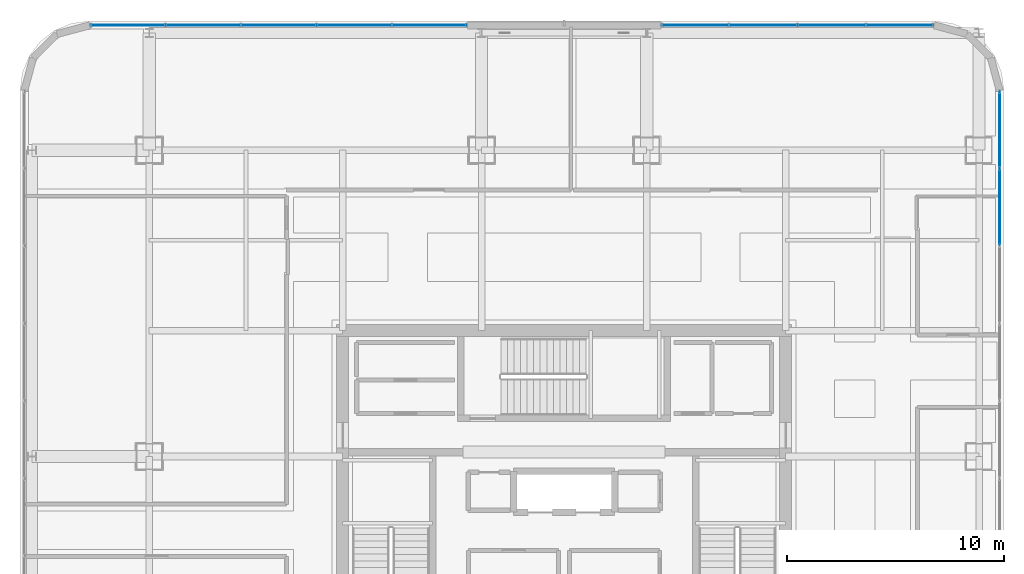
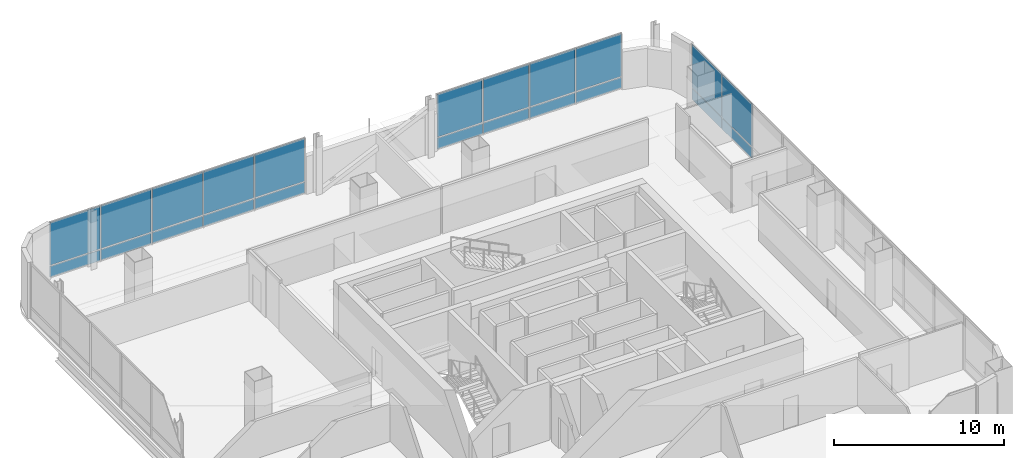
# One storey, part 30 of 43: 22 plates, 3 elements without a shape of their own.
"""IFC4 building model written with IfcOpenShell, lengths in metres."""

from ifc_helpers import new_model, si_unit, direction, frame, origin, origin_2d, place, context, subcontext, project, spatial, rectangle, extrude, material, layer, layer_set, type_object, element, aggregate, save


model = new_model("IFC4")

# Units and contexts
model_context = context("Model", 3, precision=1e-05, world=origin(), true_north=direction((0.0, 1.0)))
body_context = subcontext(model_context, "Body", "Model", "MODEL_VIEW")
ifc_project = project(units=[si_unit("LENGTHUNIT", "METRE"), si_unit("AREAUNIT", "SQUARE_METRE"), si_unit("VOLUMEUNIT", "CUBIC_METRE"), si_unit("PLANEANGLEUNIT", "RADIAN"), si_unit("MASSUNIT", "GRAM", prefix="KILO")], contexts=[model_context])

# Site, building, storey
site_placement = place(None, origin())
site = spatial("IfcSite", under=ifc_project, at=site_placement, CompositionType="ELEMENT")
building_placement = place(site_placement, origin())
building = spatial("IfcBuilding", under=site, at=building_placement, Name="Punatoya Terracotta Tower", CompositionType="ELEMENT")
storey_placement = place(building_placement, frame((0.0, 0.0, 300.60009765625)))
storey = spatial("IfcBuildingStorey", under=building, at=storey_placement, Name="L71", CompositionType="ELEMENT", Elevation=300.60009765625)

# Curtain wall, plates
ifc_material_1 = material(Name="Aluminium 6063-T6 + Double Low-E Glass", Category="aluminium")
curtain_wall_type = type_object("IfcCurtainWallType", Name="CW-M3", PredefinedType="NOTDEFINED", material=ifc_material_1)
curtain_wall_1_placement = place(storey_placement, origin())
curtain_wall_1 = element("IfcCurtainWall", 1, at=curtain_wall_1_placement, inside=storey, type_object=curtain_wall_type, Name="L71 Curtain Wall CW-L71-E05-1", PredefinedType="NOTDEFINED")
ifc_material_2 = material(Name="Double Low-E Acoustic Vision Glass", Category="glass")
ifc_layer_1 = layer(ifc_material_2, 0.031982421875)
ifc_layer_set_1 = layer_set([ifc_layer_1], Name="Double Low-E Acoustic Vision Glass")
plate_type_1 = type_object("IfcPlateType", Name="PLT-GLZ-32", PredefinedType="CURTAIN_PANEL", material=ifc_layer_set_1)
plate_1_placement = place(storey_placement, frame((20.050048828125, 14.8857421875, 0.8896484375), z_axis=(0.0, 0.0, 1.0), x_axis=(0.0, 1.0, 0.0)))
plate_1 = element("IfcPlate", 2, at=plate_1_placement, type_object=plate_type_1, Name="CW-L71-E05-1 Vision Glass Panel 9", PredefinedType="CURTAIN_PANEL", context=body_context, shape_type="SweptSolid", body=[
    extrude(rectangle(XDim=3.482421875, YDim=0.031982421875, at=origin_2d()), origin(), (0.0, 0.0, 1.0), 3.070068359375),
])
plate_2_placement = place(storey_placement, frame((20.050048828125, 18.453125, 0.8896484375), z_axis=(0.0, 0.0, 1.0), x_axis=(0.0, 1.0, 0.0)))
plate_2 = element("IfcPlate", 3, at=plate_2_placement, type_object=plate_type_1, Name="CW-L71-E05-1 Vision Glass Panel 10", PredefinedType="CURTAIN_PANEL", context=body_context, shape_type="SweptSolid", body=[
    extrude(rectangle(XDim=3.482421875, YDim=0.031982421875, at=origin_2d()), origin(), (0.0, 0.0, 1.0), 3.070068359375),
])

curtain_wall_2_placement = place(storey_placement, origin())
curtain_wall_2 = element("IfcCurtainWall", 4, at=curtain_wall_2_placement, inside=storey, type_object=curtain_wall_type, Name="L71 Curtain Wall CW-L71-N09-1", PredefinedType="NOTDEFINED")
plate_3_placement = place(storey_placement, frame((15.46337890625, 23.25, 0.8896484375), z_axis=(0.0, 0.0, 1.0), x_axis=(-1.0, 0.0, 0.0)))
plate_3 = element("IfcPlate", 5, at=plate_3_placement, type_object=plate_type_1, Name="CW-L71-N09-1 Vision Glass Panel 1", PredefinedType="CURTAIN_PANEL", context=body_context, shape_type="SweptSolid", body=[
    extrude(rectangle(XDim=3.061767578125, YDim=0.031982421875, at=origin_2d()), origin(), (0.0, 0.0, 1.0), 3.070068359375),
])
plate_4_placement = place(storey_placement, frame((12.31689453125, 23.25, 0.8896484375), z_axis=(0.0, 0.0, 1.0), x_axis=(-1.0, 0.0, 0.0)))
plate_4 = element("IfcPlate", 6, at=plate_4_placement, type_object=plate_type_1, Name="CW-L71-N09-1 Vision Glass Panel 2", PredefinedType="CURTAIN_PANEL", context=body_context, shape_type="SweptSolid", body=[
    extrude(rectangle(XDim=3.061767578125, YDim=0.031982421875, at=origin_2d()), origin(), (0.0, 0.0, 1.0), 3.070068359375),
])
plate_5_placement = place(storey_placement, frame((9.170166015625, 23.25, 0.8896484375), z_axis=(0.0, 0.0, 1.0), x_axis=(-1.0, 0.0, 0.0)))
plate_5 = element("IfcPlate", 7, at=plate_5_placement, type_object=plate_type_1, Name="CW-L71-N09-1 Vision Glass Panel 3", PredefinedType="CURTAIN_PANEL", context=body_context, shape_type="SweptSolid", body=[
    extrude(rectangle(XDim=3.061767578125, YDim=0.031982421875, at=origin_2d()), origin(), (0.0, 0.0, 1.0), 3.070068359375),
])
plate_6_placement = place(storey_placement, frame((6.0234375, 23.25, 0.8896484375), z_axis=(0.0, 0.0, 1.0), x_axis=(-1.0, 0.0, 0.0)))
plate_6 = element("IfcPlate", 8, at=plate_6_placement, type_object=plate_type_1, Name="CW-L71-N09-1 Vision Glass Panel 4", PredefinedType="CURTAIN_PANEL", context=body_context, shape_type="SweptSolid", body=[
    extrude(rectangle(XDim=3.061767578125, YDim=0.031982421875, at=origin_2d()), origin(), (0.0, 0.0, 1.0), 3.070068359375),
])

curtain_wall_3_placement = place(storey_placement, origin())
curtain_wall_3 = element("IfcCurtainWall", 9, at=curtain_wall_3_placement, inside=storey, type_object=curtain_wall_type, Name="L71 Curtain Wall CW-L71-N09-2", PredefinedType="NOTDEFINED")
plate_7_placement = place(storey_placement, frame((-6.188720703125, 23.25, 0.8896484375), z_axis=(0.0, 0.0, 1.0), x_axis=(-1.0, 0.0, 0.0)))
plate_7 = element("IfcPlate", 10, at=plate_7_placement, type_object=plate_type_1, Name="CW-L71-N09-2 Vision Glass Panel 1", PredefinedType="CURTAIN_PANEL", context=body_context, shape_type="SweptSolid", body=[
    extrude(rectangle(XDim=3.392333984375, YDim=0.031982421875, at=origin_2d()), origin(), (0.0, 0.0, 1.0), 3.070068359375),
])
plate_8_placement = place(storey_placement, frame((-9.666015625, 23.25, 0.8896484375), z_axis=(0.0, 0.0, 1.0), x_axis=(-1.0, 0.0, 0.0)))
plate_8 = element("IfcPlate", 11, at=plate_8_placement, type_object=plate_type_1, Name="CW-L71-N09-2 Vision Glass Panel 2", PredefinedType="CURTAIN_PANEL", context=body_context, shape_type="SweptSolid", body=[
    extrude(rectangle(XDim=3.392333984375, YDim=0.031982421875, at=origin_2d()), origin(), (0.0, 0.0, 1.0), 3.070068359375),
])
plate_9_placement = place(storey_placement, frame((-13.1435546875, 23.25, 0.8896484375), z_axis=(0.0, 0.0, 1.0), x_axis=(-1.0, 0.0, 0.0)))
plate_9 = element("IfcPlate", 12, at=plate_9_placement, type_object=plate_type_1, Name="CW-L71-N09-2 Vision Glass Panel 3", PredefinedType="CURTAIN_PANEL", context=body_context, shape_type="SweptSolid", body=[
    extrude(rectangle(XDim=3.392333984375, YDim=0.031982421875, at=origin_2d()), origin(), (0.0, 0.0, 1.0), 3.070068359375),
])
plate_10_placement = place(storey_placement, frame((-16.620849609375, 23.25, 0.8896484375), z_axis=(0.0, 0.0, 1.0), x_axis=(-1.0, 0.0, 0.0)))
plate_10 = element("IfcPlate", 13, at=plate_10_placement, type_object=plate_type_1, Name="CW-L71-N09-2 Vision Glass Panel 4", PredefinedType="CURTAIN_PANEL", context=body_context, shape_type="SweptSolid", body=[
    extrude(rectangle(XDim=3.392333984375, YDim=0.031982421875, at=origin_2d()), origin(), (0.0, 0.0, 1.0), 3.070068359375),
])
plate_11_placement = place(storey_placement, frame((-20.09814453125, 23.25, 0.8896484375), z_axis=(0.0, 0.0, 1.0), x_axis=(-1.0, 0.0, 0.0)))
plate_11 = element("IfcPlate", 14, at=plate_11_placement, type_object=plate_type_1, Name="CW-L71-N09-2 Vision Glass Panel 5", PredefinedType="CURTAIN_PANEL", context=body_context, shape_type="SweptSolid", body=[
    extrude(rectangle(XDim=3.392333984375, YDim=0.031982421875, at=origin_2d()), origin(), (0.0, 0.0, 1.0), 3.070068359375),
])

# Plate
ifc_material_3 = material(Name="Insulated Terracotta-Backed Spandrel Panel", Category="masonry")
ifc_layer_2 = layer(ifc_material_3, 0.044921875)
ifc_layer_set_2 = layer_set([ifc_layer_2], Name="Insulated Terracotta-Backed Spandrel Panel")
plate_type_2 = type_object("IfcPlateType", Name="PLT-SPN-45", PredefinedType="CURTAIN_PANEL", material=ifc_layer_set_2)
plate_12_placement = place(storey_placement, frame((20.050048828125, 14.8857421875, 0.0400390625), z_axis=(0.0, 0.0, 1.0), x_axis=(0.0, 1.0, 0.0)))
plate_12 = element("IfcPlate", 15, at=plate_12_placement, type_object=plate_type_2, Name="CW-L71-E05-1 Terracotta Spandrel Panel 9", PredefinedType="CURTAIN_PANEL", context=body_context, shape_type="SweptSolid", body=[
    extrude(rectangle(XDim=3.482421875, YDim=0.044921875, at=origin_2d()), origin(), (0.0, 0.0, 1.0), 0.77490234375),
])

plate_13_placement = place(storey_placement, frame((20.050048828125, 18.453125, 0.0400390625), z_axis=(0.0, 0.0, 1.0), x_axis=(0.0, 1.0, 0.0)))
plate_13 = element("IfcPlate", 16, at=plate_13_placement, type_object=plate_type_2, Name="CW-L71-E05-1 Terracotta Spandrel Panel 10", PredefinedType="CURTAIN_PANEL", context=body_context, shape_type="SweptSolid", body=[
    extrude(rectangle(XDim=3.482421875, YDim=0.044921875, at=origin_2d()), origin(), (0.0, 0.0, 1.0), 0.77490234375),
])

aggregate(curtain_wall_1, [plate_12, plate_1, plate_13, plate_2])

plate_14_placement = place(storey_placement, frame((15.46337890625, 23.25, 0.0400390625), z_axis=(0.0, 0.0, 1.0), x_axis=(-1.0, 0.0, 0.0)))
plate_14 = element("IfcPlate", 17, at=plate_14_placement, type_object=plate_type_2, Name="CW-L71-N09-1 Terracotta Spandrel Panel 1", PredefinedType="CURTAIN_PANEL", context=body_context, shape_type="SweptSolid", body=[
    extrude(rectangle(XDim=3.061767578125, YDim=0.044921875, at=origin_2d()), origin(), (0.0, 0.0, 1.0), 0.77490234375),
])

plate_15_placement = place(storey_placement, frame((12.31689453125, 23.25, 0.0400390625), z_axis=(0.0, 0.0, 1.0), x_axis=(-1.0, 0.0, 0.0)))
plate_15 = element("IfcPlate", 18, at=plate_15_placement, type_object=plate_type_2, Name="CW-L71-N09-1 Terracotta Spandrel Panel 2", PredefinedType="CURTAIN_PANEL", context=body_context, shape_type="SweptSolid", body=[
    extrude(rectangle(XDim=3.061767578125, YDim=0.044921875, at=origin_2d()), origin(), (0.0, 0.0, 1.0), 0.77490234375),
])

plate_16_placement = place(storey_placement, frame((9.170166015625, 23.25, 0.0400390625), z_axis=(0.0, 0.0, 1.0), x_axis=(-1.0, 0.0, 0.0)))
plate_16 = element("IfcPlate", 19, at=plate_16_placement, type_object=plate_type_2, Name="CW-L71-N09-1 Terracotta Spandrel Panel 3", PredefinedType="CURTAIN_PANEL", context=body_context, shape_type="SweptSolid", body=[
    extrude(rectangle(XDim=3.061767578125, YDim=0.044921875, at=origin_2d()), origin(), (0.0, 0.0, 1.0), 0.77490234375),
])

plate_17_placement = place(storey_placement, frame((6.0234375, 23.25, 0.0400390625), z_axis=(0.0, 0.0, 1.0), x_axis=(-1.0, 0.0, 0.0)))
plate_17 = element("IfcPlate", 20, at=plate_17_placement, type_object=plate_type_2, Name="CW-L71-N09-1 Terracotta Spandrel Panel 4", PredefinedType="CURTAIN_PANEL", context=body_context, shape_type="SweptSolid", body=[
    extrude(rectangle(XDim=3.061767578125, YDim=0.044921875, at=origin_2d()), origin(), (0.0, 0.0, 1.0), 0.77490234375),
])

aggregate(curtain_wall_2, [plate_14, plate_3, plate_15, plate_4, plate_16, plate_5, plate_17, plate_6])

plate_18_placement = place(storey_placement, frame((-6.188720703125, 23.25, 0.0400390625), z_axis=(0.0, 0.0, 1.0), x_axis=(-1.0, 0.0, 0.0)))
plate_18 = element("IfcPlate", 21, at=plate_18_placement, type_object=plate_type_2, Name="CW-L71-N09-2 Terracotta Spandrel Panel 1", PredefinedType="CURTAIN_PANEL", context=body_context, shape_type="SweptSolid", body=[
    extrude(rectangle(XDim=3.392333984375, YDim=0.044921875, at=origin_2d()), origin(), (0.0, 0.0, 1.0), 0.77490234375),
])

plate_19_placement = place(storey_placement, frame((-9.666015625, 23.25, 0.0400390625), z_axis=(0.0, 0.0, 1.0), x_axis=(-1.0, 0.0, 0.0)))
plate_19 = element("IfcPlate", 22, at=plate_19_placement, type_object=plate_type_2, Name="CW-L71-N09-2 Terracotta Spandrel Panel 2", PredefinedType="CURTAIN_PANEL", context=body_context, shape_type="SweptSolid", body=[
    extrude(rectangle(XDim=3.392333984375, YDim=0.044921875, at=origin_2d()), origin(), (0.0, 0.0, 1.0), 0.77490234375),
])

plate_20_placement = place(storey_placement, frame((-13.1435546875, 23.25, 0.0400390625), z_axis=(0.0, 0.0, 1.0), x_axis=(-1.0, 0.0, 0.0)))
plate_20 = element("IfcPlate", 23, at=plate_20_placement, type_object=plate_type_2, Name="CW-L71-N09-2 Terracotta Spandrel Panel 3", PredefinedType="CURTAIN_PANEL", context=body_context, shape_type="SweptSolid", body=[
    extrude(rectangle(XDim=3.392333984375, YDim=0.044921875, at=origin_2d()), origin(), (0.0, 0.0, 1.0), 0.77490234375),
])

plate_21_placement = place(storey_placement, frame((-16.620849609375, 23.25, 0.0400390625), z_axis=(0.0, 0.0, 1.0), x_axis=(-1.0, 0.0, 0.0)))
plate_21 = element("IfcPlate", 24, at=plate_21_placement, type_object=plate_type_2, Name="CW-L71-N09-2 Terracotta Spandrel Panel 4", PredefinedType="CURTAIN_PANEL", context=body_context, shape_type="SweptSolid", body=[
    extrude(rectangle(XDim=3.392333984375, YDim=0.044921875, at=origin_2d()), origin(), (0.0, 0.0, 1.0), 0.77490234375),
])

plate_22_placement = place(storey_placement, frame((-20.09814453125, 23.25, 0.0400390625), z_axis=(0.0, 0.0, 1.0), x_axis=(-1.0, 0.0, 0.0)))
plate_22 = element("IfcPlate", 25, at=plate_22_placement, type_object=plate_type_2, Name="CW-L71-N09-2 Terracotta Spandrel Panel 5", PredefinedType="CURTAIN_PANEL", context=body_context, shape_type="SweptSolid", body=[
    extrude(rectangle(XDim=3.392333984375, YDim=0.044921875, at=origin_2d()), origin(), (0.0, 0.0, 1.0), 0.77490234375),
])

aggregate(curtain_wall_3, [plate_18, plate_7, plate_19, plate_8, plate_20, plate_9, plate_21, plate_10, plate_22, plate_11])

save(model, "model.ifc")
